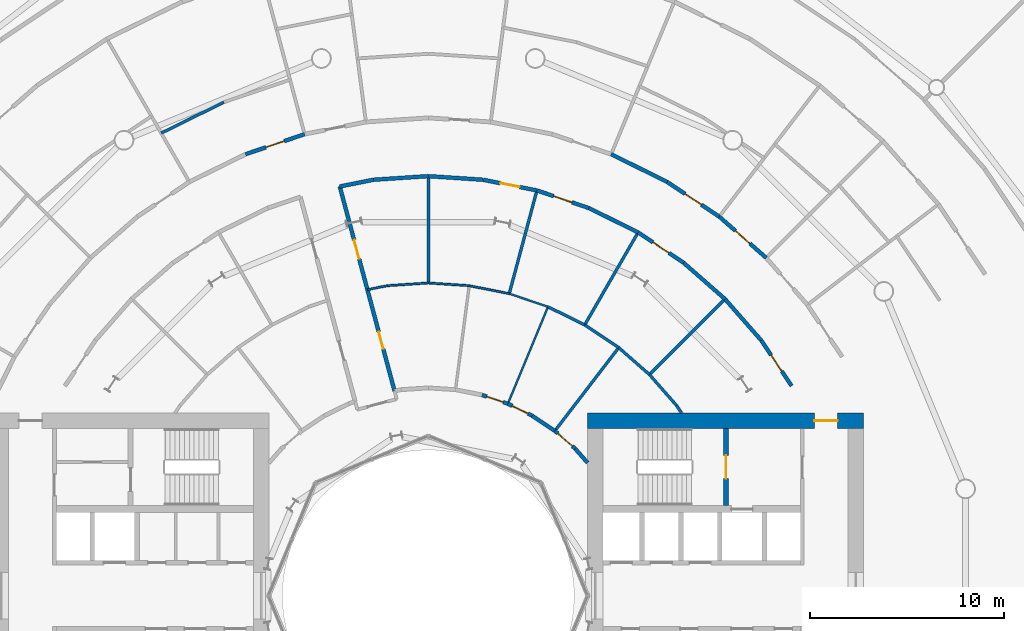
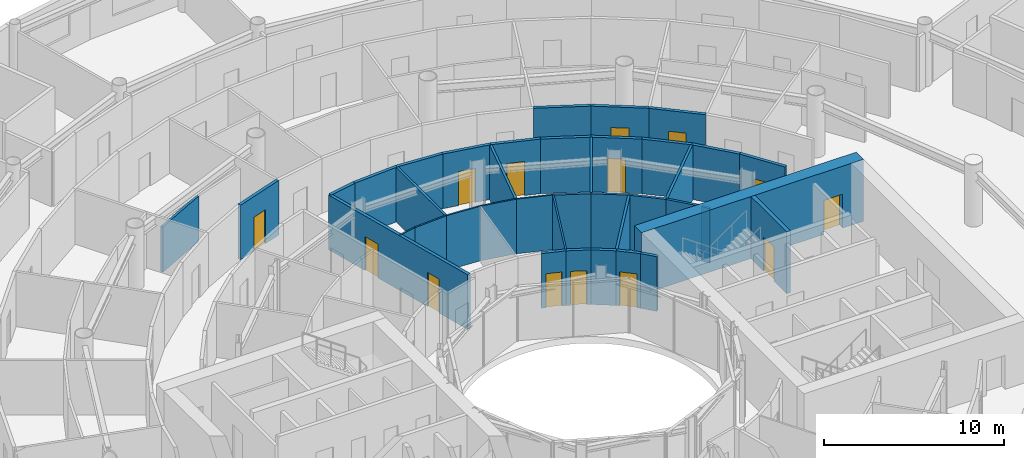
# One storey, part 21 of 29: 39 walls, 14 doors, 14 openings.
"""IFC4 building model written with IfcOpenShell, lengths in metres."""

from ifc_helpers import new_model, si_unit, direction, frame, frame_2d, origin, place, context, subcontext, project, spatial, rectangle, extrude, material, layer, layer_set, type_object, element, fill, save


model = new_model("IFC4")

# Units and contexts
model_context = context("Model", 3, precision=1e-05, world=origin(), true_north=direction((0.0, 1.0)))
body_context = subcontext(model_context, "Body", "Model", "MODEL_VIEW")
ifc_project = project(units=[si_unit("LENGTHUNIT", "METRE"), si_unit("AREAUNIT", "SQUARE_METRE"), si_unit("VOLUMEUNIT", "CUBIC_METRE"), si_unit("PLANEANGLEUNIT", "RADIAN"), si_unit("MASSUNIT", "GRAM", prefix="KILO")], contexts=[model_context])

# Site, building, storey
site_placement = place(None, origin())
site = spatial("IfcSite", under=ifc_project, at=site_placement, CompositionType="ELEMENT")
building_placement = place(site_placement, origin())
building = spatial("IfcBuilding", under=site, at=building_placement, Name="Maasbend Ring Residences", CompositionType="ELEMENT")
storey_placement = place(building_placement, frame((0.0, 0.0, 5.39990234375)))
storey = spatial("IfcBuildingStorey", under=building, at=storey_placement, Name="L01", CompositionType="ELEMENT", Elevation=5.39990234375)

# Wall, opening, door
ifc_material_1 = material(Name="Concrete C70/85", Category="concrete")
ifc_layer_1 = layer(ifc_material_1, 0.25)
ifc_layer_set_1 = layer_set([ifc_layer_1], Name="Concrete C70/85")
wall_type_1 = type_object("IfcWallType", Name="CORE WALL 250 C70/85", PredefinedType="SHEAR", material=ifc_layer_set_1)
wall_1_placement = place(storey_placement, frame((15.324951171875, 4.64990234375, 0.0), z_axis=(0.0, 0.0, 1.0), x_axis=(0.0, 1.0, 0.0)))
wall_1 = element("IfcWall", 1, at=wall_1_placement, inside=storey, type_object=wall_type_1, Name="L01 core E wall STEN", PredefinedType="SHEAR", context=body_context, shape_type="SweptSolid", body=[
    extrude(rectangle(XDim=3.9501953125, YDim=0.25, at=frame_2d((1.97509765625, 0.0))), origin(), (0.0, 0.0, 1.0), 4.2001953125),
])
opening_1_placement = place(wall_1_placement, frame((1.375, 0.0, 0.0)))
opening_1 = element("IfcOpeningElement", 2, at=opening_1_placement, cuts=wall_1, Name="Opening D-E0110", PredefinedType="OPENING", context=body_context, shape_type="SweptSolid", body=[
    extrude(rectangle(XDim=1.199951171875, YDim=2.300048828125, at=frame_2d((0.60009765625, 1.14990234375))), frame((0.0, 0.135009765625, 0.0), z_axis=(0.0, -1.0, 0.0), x_axis=(1.0, 0.0, 0.0)), (0.0, 0.0, 1.0), 0.27001953125),
])
ifc_material_2 = material(Name="Steel, powder coated", Category="steel")
door_type_1 = type_object("IfcDoorType", Name="STAIR DOOR 1200 X 2300 FD60", OperationType="NOTDEFINED", PredefinedType="DOOR", material=ifc_material_2)
door_1_placement = place(opening_1_placement, origin())
door_1 = element("IfcDoor", 3, at=door_1_placement, inside=storey, type_object=door_type_1, Name="Stair door ST-E L01", OperationType="SINGLE_SWING_LEFT", OverallHeight=2.300048828125, OverallWidth=1.199951171875, PredefinedType="DOOR", context=body_context, shape_type="SweptSolid", body=[
    extrude(rectangle(XDim=1.199951171875, YDim=2.300048828125, at=frame_2d((0.60009765625, 1.14990234375))), frame((0.0, 0.02490234375, 0.0), z_axis=(0.0, -1.0, 0.0), x_axis=(1.0, 0.0, 0.0)), (0.0, 0.0, 1.0), 0.050048828125),
])
fill(opening_1, door_1)

ifc_material_3 = material(Name="Concrete C70/85", Category="concrete")
ifc_layer_2 = layer(ifc_material_3, 0.800048828125)
ifc_layer_set_2 = layer_set([ifc_layer_2], Name="Concrete C70/85")
wall_type_2 = type_object("IfcWallType", Name="CORE WALL 800 C70/85", PredefinedType="SHEAR", material=ifc_layer_set_2)
wall_2_placement = place(storey_placement, frame((22.39990234375, 9.0, 0.0), z_axis=(0.0, 0.0, 1.0), x_axis=(-1.0, 0.0, 0.0)))
wall_2 = element("IfcWall", 4, at=wall_2_placement, inside=storey, type_object=wall_type_2, Name="L01 core E wall PN", PredefinedType="SHEAR", context=body_context, shape_type="SweptSolid", body=[
    extrude(rectangle(XDim=14.199951171875, YDim=0.800048828125, at=frame_2d((7.10009765625, 0.0))), origin(), (0.0, 0.0, 1.0), 4.2001953125),
])
opening_2_placement = place(wall_2_placement, frame((1.324951171875, 0.0, 0.0)))
opening_2 = element("IfcOpeningElement", 5, at=opening_2_placement, cuts=wall_2, Name="Opening D-E0114", PredefinedType="OPENING", context=body_context, shape_type="SweptSolid", body=[
    extrude(rectangle(XDim=1.199951171875, YDim=2.300048828125, at=frame_2d((0.60009765625, 1.14990234375))), frame((0.0, 0.41015625, 0.0), z_axis=(0.0, -1.0, 0.0), x_axis=(1.0, 0.0, 0.0)), (0.0, 0.0, 1.0), 0.820068359375),
])
ifc_material_4 = material(Name="Steel, powder coated", Category="steel")
door_type_2 = type_object("IfcDoorType", Name="CORRIDOR DOOR 1200 X 2300 FD30S", OperationType="NOTDEFINED", PredefinedType="DOOR", material=ifc_material_4)
door_2_placement = place(opening_2_placement, origin())
door_2 = element("IfcDoor", 6, at=door_2_placement, inside=storey, type_object=door_type_2, Name="Corridor door L01", OperationType="SINGLE_SWING_RIGHT", OverallHeight=2.300048828125, OverallWidth=1.199951171875, PredefinedType="DOOR", context=body_context, shape_type="SweptSolid", body=[
    extrude(rectangle(XDim=1.199951171875, YDim=2.300048828125, at=frame_2d((0.60009765625, 1.14990234375))), frame((0.0, 0.02490234375, 0.0), z_axis=(0.0, -1.0, 0.0), x_axis=(1.0, 0.0, 0.0)), (0.0, 0.0, 1.0), 0.050048828125),
])
fill(opening_2, door_2)

# Wall, openings, doors
ifc_material_5 = material(Name="Concrete C30/37", Category="concrete")
ifc_layer_3 = layer(ifc_material_5, 0.199951171875)
ifc_layer_set_3 = layer_set([ifc_layer_3], Name="Concrete C30/37")
wall_type_3 = type_object("IfcWallType", Name="CORRIDOR WALL 200 CONCRETE", PredefinedType="PARTITIONING", material=ifc_layer_set_3)
wall_3_placement = place(storey_placement, frame((-4.55810546875, 21.069091796875, 0.0), z_axis=(0.0, 0.0, 1.0), x_axis=(0.258717799026, -0.965952949407, 0.0)))
wall_3 = element("IfcWall", 7, at=wall_3_placement, inside=storey, type_object=wall_type_3, Name="U-L01-w185", PredefinedType="PARTITIONING", context=body_context, shape_type="SweptSolid", body=[
    extrude(rectangle(XDim=10.900146484375, YDim=0.199951171875, at=frame_2d((5.4501953125, 0.0))), origin(), (0.0, 0.0, 1.0), 3.7001953125),
])
opening_3_placement = place(wall_3_placement, frame((7.75, 0.0, 0.0)))
opening_3 = element("IfcOpeningElement", 8, at=opening_3_placement, cuts=wall_3, Name="Opening D-0106", PredefinedType="OPENING", context=body_context, shape_type="SweptSolid", body=[
    extrude(rectangle(XDim=0.89990234375, YDim=2.300048828125, at=frame_2d((0.449951171875, 1.14990234375))), frame((0.0, 0.10986328125, 0.0), z_axis=(0.0, -1.0, 0.0), x_axis=(1.0, 0.0, 0.0)), (0.0, 0.0, 1.0), 0.219970703125),
])
opening_4_placement = place(wall_3_placement, frame((2.85009765625, 0.0, 0.0)))
opening_4 = element("IfcOpeningElement", 9, at=opening_4_placement, cuts=wall_3, Name="Opening D-0118", PredefinedType="OPENING", context=body_context, shape_type="SweptSolid", body=[
    extrude(rectangle(XDim=1.0, YDim=2.300048828125, at=frame_2d((0.5, 1.14990234375))), frame((0.0, 0.10986328125, 0.0), z_axis=(0.0, -1.0, 0.0), x_axis=(1.0, 0.0, 0.0)), (0.0, 0.0, 1.0), 0.219970703125),
])
ifc_material_6 = material(Name="Timber, painted", Category="wood")
door_type_3 = type_object("IfcDoorType", Name="INTERNAL DOOR 900 X 2300", OperationType="NOTDEFINED", PredefinedType="DOOR", material=ifc_material_6)
door_3_placement = place(opening_3_placement, origin())
door_3 = element("IfcDoor", 10, at=door_3_placement, inside=storey, type_object=door_type_3, Name="D-0106", OperationType="SINGLE_SWING_RIGHT", OverallHeight=2.300048828125, OverallWidth=0.89990234375, PredefinedType="DOOR", context=body_context, shape_type="SweptSolid", body=[
    extrude(rectangle(XDim=0.89990234375, YDim=2.300048828125, at=frame_2d((0.449951171875, 1.14990234375))), frame((0.0, 0.02490234375, 0.0), z_axis=(0.0, -1.0, 0.0), x_axis=(1.0, 0.0, 0.0)), (0.0, 0.0, 1.0), 0.050048828125),
])
fill(opening_3, door_3)
ifc_material_7 = material(Name="Timber, painted", Category="wood")
door_type_4 = type_object("IfcDoorType", Name="ROOM DOOR 1000 X 2300", OperationType="NOTDEFINED", PredefinedType="DOOR", material=ifc_material_7)
door_4_placement = place(opening_4_placement, origin())
door_4 = element("IfcDoor", 11, at=door_4_placement, inside=storey, type_object=door_type_4, Name="D-0118", OperationType="SINGLE_SWING_LEFT", OverallHeight=2.300048828125, OverallWidth=1.0, PredefinedType="DOOR", context=body_context, shape_type="SweptSolid", body=[
    extrude(rectangle(XDim=1.0, YDim=2.300048828125, at=frame_2d((0.5, 1.14990234375))), frame((0.0, 0.02490234375, 0.0), z_axis=(0.0, -1.0, 0.0), x_axis=(1.0, 0.0, 0.0)), (0.0, 0.0, 1.0), 0.050048828125),
])
fill(opening_4, door_4)

# Wall, opening, door
wall_4_placement = place(storey_placement, frame((2.76904296875, 10.3349609375, 0.0), z_axis=(0.0, 0.0, 1.0), x_axis=(0.947172777338, -0.320723759441, 0.0)))
wall_4 = element("IfcWall", 12, at=wall_4_placement, inside=storey, type_object=wall_type_3, Name="U-L01-w203", PredefinedType="PARTITIONING", context=body_context, shape_type="SweptSolid", body=[
    extrude(rectangle(XDim=1.39990234375, YDim=0.199951171875, at=frame_2d((0.699951171875, 0.0))), origin(), (0.0, 0.0, 1.0), 3.7001953125),
])
opening_5_placement = place(wall_4_placement, frame((0.25, 0.0, 0.0)))
opening_5 = element("IfcOpeningElement", 13, at=opening_5_placement, cuts=wall_4, Name="Opening D-0105", PredefinedType="OPENING", context=body_context, shape_type="SweptSolid", body=[
    extrude(rectangle(XDim=0.89990234375, YDim=2.300048828125, at=frame_2d((0.449951171875, 1.14990234375))), frame((0.0, 0.10986328125, 0.0), z_axis=(0.0, -1.0, 0.0), x_axis=(1.0, 0.0, 0.0)), (0.0, 0.0, 1.0), 0.219970703125),
])
door_5_placement = place(opening_5_placement, origin())
door_5 = element("IfcDoor", 14, at=door_5_placement, inside=storey, type_object=door_type_3, Name="D-0105", OperationType="SINGLE_SWING_RIGHT", OverallHeight=2.300048828125, OverallWidth=0.89990234375, PredefinedType="DOOR", context=body_context, shape_type="SweptSolid", body=[
    extrude(rectangle(XDim=0.89990234375, YDim=2.300048828125, at=frame_2d((0.449951171875, 1.14990234375))), frame((0.0, 0.02490234375, 0.0), z_axis=(0.0, -1.0, 0.0), x_axis=(1.0, 0.0, 0.0)), (0.0, 0.0, 1.0), 0.050048828125),
])
fill(opening_5, door_5)

wall_5_placement = place(storey_placement, frame((4.094970703125, 9.885986328125, 0.0), z_axis=(0.0, 0.0, 1.0), x_axis=(0.896613890545, -0.442813201341, 0.0)))
wall_5 = element("IfcWall", 15, at=wall_5_placement, inside=storey, type_object=wall_type_3, Name="U-L01-w204", PredefinedType="PARTITIONING", context=body_context, shape_type="SweptSolid", body=[
    extrude(rectangle(XDim=1.39990234375, YDim=0.199951171875, at=frame_2d((0.699951171875, 0.0))), origin(), (0.0, 0.0, 1.0), 3.7001953125),
])
opening_6_placement = place(wall_5_placement, frame((0.25, 0.0, 0.0)))
opening_6 = element("IfcOpeningElement", 16, at=opening_6_placement, cuts=wall_5, Name="Opening D-0104", PredefinedType="OPENING", context=body_context, shape_type="SweptSolid", body=[
    extrude(rectangle(XDim=0.89990234375, YDim=2.300048828125, at=frame_2d((0.449951171875, 1.14990234375))), frame((0.0, 0.10986328125, 0.0), z_axis=(0.0, -1.0, 0.0), x_axis=(1.0, 0.0, 0.0)), (0.0, 0.0, 1.0), 0.219970703125),
])
ifc_material_8 = material(Name="Steel, fire-rated, painted", Category="steel")
door_type_5 = type_object("IfcDoorType", Name="SERVICE DOOR 900 X 2300 FIRE-RATED", OperationType="NOTDEFINED", PredefinedType="DOOR", material=ifc_material_8)
door_6_placement = place(opening_6_placement, origin())
door_6 = element("IfcDoor", 17, at=door_6_placement, inside=storey, type_object=door_type_5, Name="D-0104", OperationType="SINGLE_SWING_LEFT", OverallHeight=2.300048828125, OverallWidth=0.89990234375, PredefinedType="DOOR", context=body_context, shape_type="SweptSolid", body=[
    extrude(rectangle(XDim=0.89990234375, YDim=2.300048828125, at=frame_2d((0.449951171875, 1.14990234375))), frame((0.0, 0.02490234375, 0.0), z_axis=(0.0, -1.0, 0.0), x_axis=(1.0, 0.0, 0.0)), (0.0, 0.0, 1.0), 0.050048828125),
])
fill(opening_6, door_6)

# Wall
wall_6_placement = place(storey_placement, frame((5.35009765625, 9.26611328125, 0.0), z_axis=(0.0, 0.0, 1.0), x_axis=(0.831647476803, -0.555303947696, 0.0)))
element("IfcWall", 18, at=wall_6_placement, inside=storey, type_object=wall_type_3, Name="U-L01-w205", PredefinedType="PARTITIONING", context=body_context, shape_type="SweptSolid", body=[
    extrude(rectangle(XDim=1.3994140625, YDim=0.199951171875, at=frame_2d((0.69970703125, 0.0))), origin(), (0.0, 0.0, 1.0), 3.7001953125),
])

# Wall, opening, door
wall_7_placement = place(storey_placement, frame((6.513916015625, 8.489013671875, 0.0), z_axis=(0.0, 0.0, 1.0), x_axis=(0.751657456611, -0.65955368843, 0.0)))
wall_7 = element("IfcWall", 19, at=wall_7_placement, inside=storey, type_object=wall_type_3, Name="U-L01-w206", PredefinedType="PARTITIONING", context=body_context, shape_type="SweptSolid", body=[
    extrude(rectangle(XDim=1.399658203125, YDim=0.199951171875, at=frame_2d((0.69970703125, 0.0))), origin(), (0.0, 0.0, 1.0), 3.7001953125),
])
opening_7_placement = place(wall_7_placement, frame((0.199951171875, 0.0, 0.0)))
opening_7 = element("IfcOpeningElement", 20, at=opening_7_placement, cuts=wall_7, Name="Opening D-0103", PredefinedType="OPENING", context=body_context, shape_type="SweptSolid", body=[
    extrude(rectangle(XDim=1.0, YDim=2.300048828125, at=frame_2d((0.5, 1.14990234375))), frame((0.0, 0.10986328125, 0.0), z_axis=(0.0, -1.0, 0.0), x_axis=(1.0, 0.0, 0.0)), (0.0, 0.0, 1.0), 0.219970703125),
])
door_7_placement = place(opening_7_placement, origin())
door_7 = element("IfcDoor", 21, at=door_7_placement, inside=storey, type_object=door_type_4, Name="D-0103", OperationType="SINGLE_SWING_LEFT", OverallHeight=2.300048828125, OverallWidth=1.0, PredefinedType="DOOR", context=body_context, shape_type="SweptSolid", body=[
    extrude(rectangle(XDim=1.0, YDim=2.300048828125, at=frame_2d((0.5, 1.14990234375))), frame((0.0, 0.02490234375, 0.0), z_axis=(0.0, -1.0, 0.0), x_axis=(1.0, 0.0, 0.0)), (0.0, 0.0, 1.0), 0.050048828125),
])
fill(opening_7, door_7)

# Walls
wall_8_placement = place(storey_placement, frame((7.56591796875, 7.56591796875, 0.0), z_axis=(0.0, 0.0, 1.0), x_axis=(0.659384951594, -0.751805483893, 0.0)))
element("IfcWall", 22, at=wall_8_placement, inside=storey, type_object=wall_type_3, Name="U-L01-w207", PredefinedType="PARTITIONING", context=body_context, shape_type="SweptSolid", body=[
    extrude(rectangle(XDim=0.961669921875, YDim=0.199951171875, at=frame_2d((0.48095703125, 0.0))), origin(), (0.0, 0.0, 1.0), 3.7001953125),
])
wall_9_placement = place(storey_placement, frame((-4.55810546875, 21.069091796875, 0.0), z_axis=(0.0, 0.0, 1.0), x_axis=(0.980781401852, 0.195109819798, 0.0)))
element("IfcWall", 23, at=wall_9_placement, inside=storey, type_object=wall_type_3, Name="U-L01-w230", PredefinedType="PARTITIONING", context=body_context, shape_type="SweptSolid", body=[
    extrude(rectangle(XDim=1.773193359375, YDim=0.199951171875, at=frame_2d((0.88671875, 0.0))), origin(), (0.0, 0.0, 1.0), 3.7001953125),
])
for number, where, z_axis, x_axis, name in (
    (24, (-2.819091796875, 21.4150390625, 0.0), (0.0, 0.0, 1.0), (0.99785232164, 0.065503772391, 0.0), "U-L01-w231"),
    (25, (0.0, 21.60009765625, 0.0), (0.0, 0.0, 1.0), (0.99785232164, -0.065503772391, 0.0), "U-L01-w232"),
):
    element("IfcWall", number, at=place(storey_placement, frame(where, z_axis=z_axis, x_axis=x_axis)), inside=storey, type_object=wall_type_3, Name=name, PredefinedType="PARTITIONING", context=body_context, shape_type="SweptSolid", body=[
        extrude(rectangle(XDim=2.8251953125, YDim=0.199951171875, at=frame_2d((1.41259765625, 0.0))), origin(), (0.0, 0.0, 1.0), 3.7001953125),
    ])

# Wall, opening, door
wall_10_placement = place(storey_placement, frame((2.819091796875, 21.4150390625, 0.0), z_axis=(0.0, 0.0, 1.0), x_axis=(0.980796115138, -0.195035844217, 0.0)))
wall_10 = element("IfcWall", 26, at=wall_10_placement, inside=storey, type_object=wall_type_3, Name="U-L01-w233", PredefinedType="PARTITIONING", context=body_context, shape_type="SweptSolid", body=[
    extrude(rectangle(XDim=2.8251953125, YDim=0.199951171875, at=frame_2d((1.41259765625, 0.0))), origin(), (0.0, 0.0, 1.0), 3.7001953125),
])
opening_8_placement = place(wall_10_placement, frame((0.9130859375, 0.0, 0.0)))
opening_8 = element("IfcOpeningElement", 27, at=opening_8_placement, cuts=wall_10, Name="Opening D-0117", PredefinedType="OPENING", context=body_context, shape_type="SweptSolid", body=[
    extrude(rectangle(XDim=1.0, YDim=2.300048828125, at=frame_2d((0.5, 1.14990234375))), frame((0.0, 0.10986328125, 0.0), z_axis=(0.0, -1.0, 0.0), x_axis=(1.0, 0.0, 0.0)), (0.0, 0.0, 1.0), 0.219970703125),
])
door_8_placement = place(opening_8_placement, origin())
door_8 = element("IfcDoor", 28, at=door_8_placement, inside=storey, type_object=door_type_4, Name="D-0117", OperationType="SINGLE_SWING_LEFT", OverallHeight=2.300048828125, OverallWidth=1.0, PredefinedType="DOOR", context=body_context, shape_type="SweptSolid", body=[
    extrude(rectangle(XDim=1.0, YDim=2.300048828125, at=frame_2d((0.5, 1.14990234375))), frame((0.0, 0.02490234375, 0.0), z_axis=(0.0, -1.0, 0.0), x_axis=(1.0, 0.0, 0.0)), (0.0, 0.0, 1.0), 0.050048828125),
])
fill(opening_8, door_8)

wall_11_placement = place(storey_placement, frame((5.590087890625, 20.864013671875, 0.0), z_axis=(0.0, 0.0, 1.0), x_axis=(0.946976353269, -0.321303262276, 0.0)))
wall_11 = element("IfcWall", 29, at=wall_11_placement, inside=storey, type_object=wall_type_3, Name="U-L01-w234", PredefinedType="PARTITIONING", context=body_context, shape_type="SweptSolid", body=[
    extrude(rectangle(XDim=2.825927734375, YDim=0.199951171875, at=frame_2d((1.4130859375, 0.0))), origin(), (0.0, 0.0, 1.0), 3.7001953125),
])
opening_9_placement = place(wall_11_placement, frame((0.9130859375, 0.0, 0.0)))
opening_9 = element("IfcOpeningElement", 30, at=opening_9_placement, cuts=wall_11, Name="Opening D-0116", PredefinedType="OPENING", context=body_context, shape_type="SweptSolid", body=[
    extrude(rectangle(XDim=1.0, YDim=2.300048828125, at=frame_2d((0.5, 1.14990234375))), frame((0.0, 0.10986328125, 0.0), z_axis=(0.0, -1.0, 0.0), x_axis=(1.0, 0.0, 0.0)), (0.0, 0.0, 1.0), 0.219970703125),
])
door_9_placement = place(opening_9_placement, origin())
door_9 = element("IfcDoor", 31, at=door_9_placement, inside=storey, type_object=door_type_4, Name="D-0116", OperationType="SINGLE_SWING_LEFT", OverallHeight=2.300048828125, OverallWidth=1.0, PredefinedType="DOOR", context=body_context, shape_type="SweptSolid", body=[
    extrude(rectangle(XDim=1.0, YDim=2.300048828125, at=frame_2d((0.5, 1.14990234375))), frame((0.0, 0.02490234375, 0.0), z_axis=(0.0, -1.0, 0.0), x_axis=(1.0, 0.0, 0.0)), (0.0, 0.0, 1.0), 0.050048828125),
])
fill(opening_9, door_9)

# Wall
wall_12_placement = place(storey_placement, frame((8.26611328125, 19.9560546875, 0.0), z_axis=(0.0, 0.0, 1.0), x_axis=(0.896816398134, -0.442402924988, 0.0)))
element("IfcWall", 32, at=wall_12_placement, inside=storey, type_object=wall_type_3, Name="U-L01-w235", PredefinedType="PARTITIONING", context=body_context, shape_type="SweptSolid", body=[
    extrude(rectangle(XDim=2.825439453125, YDim=0.199951171875, at=frame_2d((1.41259765625, 0.0))), origin(), (0.0, 0.0, 1.0), 3.7001953125),
])

# Wall, opening, door
wall_13_placement = place(storey_placement, frame((10.800048828125, 18.7060546875, 0.0), z_axis=(0.0, 0.0, 1.0), x_axis=(0.831371669473, -0.55571678686, 0.0)))
wall_13 = element("IfcWall", 33, at=wall_13_placement, inside=storey, type_object=wall_type_3, Name="U-L01-w236", PredefinedType="PARTITIONING", context=body_context, shape_type="SweptSolid", body=[
    extrude(rectangle(XDim=2.8251953125, YDim=0.199951171875, at=frame_2d((1.41259765625, 0.0))), origin(), (0.0, 0.0, 1.0), 3.7001953125),
])
opening_10_placement = place(wall_13_placement, frame((0.9130859375, 0.0, 0.0)))
opening_10 = element("IfcOpeningElement", 34, at=opening_10_placement, cuts=wall_13, Name="Opening D-0115", PredefinedType="OPENING", context=body_context, shape_type="SweptSolid", body=[
    extrude(rectangle(XDim=1.0, YDim=2.300048828125, at=frame_2d((0.5, 1.14990234375))), frame((0.0, 0.10986328125, 0.0), z_axis=(0.0, -1.0, 0.0), x_axis=(1.0, 0.0, 0.0)), (0.0, 0.0, 1.0), 0.219970703125),
])
door_10_placement = place(opening_10_placement, origin())
door_10 = element("IfcDoor", 35, at=door_10_placement, inside=storey, type_object=door_type_4, Name="D-0115", OperationType="SINGLE_SWING_LEFT", OverallHeight=2.300048828125, OverallWidth=1.0, PredefinedType="DOOR", context=body_context, shape_type="SweptSolid", body=[
    extrude(rectangle(XDim=1.0, YDim=2.300048828125, at=frame_2d((0.5, 1.14990234375))), frame((0.0, 0.02490234375, 0.0), z_axis=(0.0, -1.0, 0.0), x_axis=(1.0, 0.0, 0.0)), (0.0, 0.0, 1.0), 0.050048828125),
])
fill(opening_10, door_10)

# Walls
for number, where, z_axis, x_axis, name in (
    (36, (13.14892578125, 17.135986328125, 0.0), (0.0, 0.0, 1.0), (0.752105457459, -0.659042776199, 0.0), "U-L01-w237"),
    (37, (15.27392578125, 15.27392578125, 0.0), (0.0, 0.0, 1.0), (0.659042776199, -0.752105457459, 0.0), "U-L01-w238"),
):
    element("IfcWall", number, at=place(storey_placement, frame(where, z_axis=z_axis, x_axis=x_axis)), inside=storey, type_object=wall_type_3, Name=name, PredefinedType="PARTITIONING", context=body_context, shape_type="SweptSolid", body=[
        extrude(rectangle(XDim=2.825439453125, YDim=0.199951171875, at=frame_2d((1.41259765625, 0.0))), origin(), (0.0, 0.0, 1.0), 3.7001953125),
    ])

# Wall, opening, door
wall_14_placement = place(storey_placement, frame((17.135986328125, 13.14892578125, 0.0), z_axis=(0.0, 0.0, 1.0), x_axis=(0.55571678686, -0.831371669473, 0.0)))
wall_14 = element("IfcWall", 38, at=wall_14_placement, inside=storey, type_object=wall_type_3, Name="U-L01-w239", PredefinedType="PARTITIONING", context=body_context, shape_type="SweptSolid", body=[
    extrude(rectangle(XDim=2.8251953125, YDim=0.199951171875, at=frame_2d((1.41259765625, 0.0))), origin(), (0.0, 0.0, 1.0), 3.7001953125),
])
opening_11_placement = place(wall_14_placement, frame((0.9130859375, 0.0, 0.0)))
opening_11 = element("IfcOpeningElement", 39, at=opening_11_placement, cuts=wall_14, Name="Opening D-0114", PredefinedType="OPENING", context=body_context, shape_type="SweptSolid", body=[
    extrude(rectangle(XDim=1.0, YDim=2.300048828125, at=frame_2d((0.5, 1.14990234375))), frame((0.0, 0.10986328125, 0.0), z_axis=(0.0, -1.0, 0.0), x_axis=(1.0, 0.0, 0.0)), (0.0, 0.0, 1.0), 0.219970703125),
])
door_11_placement = place(opening_11_placement, origin())
door_11 = element("IfcDoor", 40, at=door_11_placement, inside=storey, type_object=door_type_4, Name="D-0114", OperationType="SINGLE_SWING_LEFT", OverallHeight=2.300048828125, OverallWidth=1.0, PredefinedType="DOOR", context=body_context, shape_type="SweptSolid", body=[
    extrude(rectangle(XDim=1.0, YDim=2.300048828125, at=frame_2d((0.5, 1.14990234375))), frame((0.0, 0.02490234375, 0.0), z_axis=(0.0, -1.0, 0.0), x_axis=(1.0, 0.0, 0.0)), (0.0, 0.0, 1.0), 0.050048828125),
])
fill(opening_11, door_11)

wall_15_placement = place(storey_placement, frame((-9.4140625, 22.72705078125, 0.0), z_axis=(0.0, 0.0, 1.0), x_axis=(0.946877665823, 0.321593976879, 0.0)))
wall_15 = element("IfcWall", 41, at=wall_15_placement, inside=storey, type_object=wall_type_3, Name="U-L01-w249", PredefinedType="PARTITIONING", context=body_context, shape_type="SweptSolid", body=[
    extrude(rectangle(XDim=3.218017578125, YDim=0.199951171875, at=frame_2d((1.60888671875, 0.0))), origin(), (0.0, 0.0, 1.0), 3.7001953125),
])
opening_12_placement = place(wall_15_placement, frame((1.10888671875, 0.0, 0.0)))
opening_12 = element("IfcOpeningElement", 42, at=opening_12_placement, cuts=wall_15, Name="Opening D-0144", PredefinedType="OPENING", context=body_context, shape_type="SweptSolid", body=[
    extrude(rectangle(XDim=1.0, YDim=2.300048828125, at=frame_2d((0.5, 1.14990234375))), frame((0.0, 0.10986328125, 0.0), z_axis=(0.0, -1.0, 0.0), x_axis=(1.0, 0.0, 0.0)), (0.0, 0.0, 1.0), 0.219970703125),
])
door_12_placement = place(opening_12_placement, origin())
door_12 = element("IfcDoor", 43, at=door_12_placement, inside=storey, type_object=door_type_4, Name="D-0144", OperationType="SINGLE_SWING_LEFT", OverallHeight=2.300048828125, OverallWidth=1.0, PredefinedType="DOOR", context=body_context, shape_type="SweptSolid", body=[
    extrude(rectangle(XDim=1.0, YDim=2.300048828125, at=frame_2d((0.5, 1.14990234375))), frame((0.0, 0.02490234375, 0.0), z_axis=(0.0, -1.0, 0.0), x_axis=(1.0, 0.0, 0.0)), (0.0, 0.0, 1.0), 0.050048828125),
])
fill(opening_12, door_12)

# Wall
wall_16_placement = place(storey_placement, frame((9.4140625, 22.72705078125, 0.0), z_axis=(0.0, 0.0, 1.0), x_axis=(0.896886949195, -0.442259878763, 0.0)))
element("IfcWall", 44, at=wall_16_placement, inside=storey, type_object=wall_type_3, Name="U-L01-w255", PredefinedType="PARTITIONING", context=body_context, shape_type="SweptSolid", body=[
    extrude(rectangle(XDim=3.2177734375, YDim=0.199951171875, at=frame_2d((1.60888671875, 0.0))), origin(), (0.0, 0.0, 1.0), 3.7001953125),
])

# Wall, opening, door
wall_17_placement = place(storey_placement, frame((12.300048828125, 21.303955078125, 0.0), z_axis=(0.0, 0.0, 1.0), x_axis=(0.831501361433, -0.555522714148, 0.0)))
wall_17 = element("IfcWall", 45, at=wall_17_placement, inside=storey, type_object=wall_type_3, Name="U-L01-w256", PredefinedType="PARTITIONING", context=body_context, shape_type="SweptSolid", body=[
    extrude(rectangle(XDim=3.21826171875, YDim=0.199951171875, at=frame_2d((1.609130859375, 0.0))), origin(), (0.0, 0.0, 1.0), 3.7001953125),
])
opening_13_placement = place(wall_17_placement, frame((1.10888671875, 0.0, 0.0)))
opening_13 = element("IfcOpeningElement", 46, at=opening_13_placement, cuts=wall_17, Name="Opening D-0136", PredefinedType="OPENING", context=body_context, shape_type="SweptSolid", body=[
    extrude(rectangle(XDim=1.0, YDim=2.300048828125, at=frame_2d((0.5, 1.14990234375))), frame((0.0, 0.10986328125, 0.0), z_axis=(0.0, -1.0, 0.0), x_axis=(1.0, 0.0, 0.0)), (0.0, 0.0, 1.0), 0.219970703125),
])
door_13_placement = place(opening_13_placement, origin())
door_13 = element("IfcDoor", 47, at=door_13_placement, inside=storey, type_object=door_type_4, Name="D-0136", OperationType="SINGLE_SWING_RIGHT", OverallHeight=2.300048828125, OverallWidth=1.0, PredefinedType="DOOR", context=body_context, shape_type="SweptSolid", body=[
    extrude(rectangle(XDim=1.0, YDim=2.300048828125, at=frame_2d((0.5, 1.14990234375))), frame((0.0, 0.02490234375, 0.0), z_axis=(0.0, -1.0, 0.0), x_axis=(1.0, 0.0, 0.0)), (0.0, 0.0, 1.0), 0.050048828125),
])
fill(opening_13, door_13)

wall_18_placement = place(storey_placement, frame((14.97607421875, 19.51611328125, 0.0), z_axis=(0.0, 0.0, 1.0), x_axis=(0.751880539175, -0.659299366608, 0.0)))
wall_18 = element("IfcWall", 48, at=wall_18_placement, inside=storey, type_object=wall_type_3, Name="U-L01-w257", PredefinedType="PARTITIONING", context=body_context, shape_type="SweptSolid", body=[
    extrude(rectangle(XDim=3.21728515625, YDim=0.199951171875, at=frame_2d((1.608642578125, 0.0))), origin(), (0.0, 0.0, 1.0), 3.7001953125),
])
opening_14_placement = place(wall_18_placement, frame((1.10888671875, 0.0, 0.0)))
opening_14 = element("IfcOpeningElement", 49, at=opening_14_placement, cuts=wall_18, Name="Opening D-0134", PredefinedType="OPENING", context=body_context, shape_type="SweptSolid", body=[
    extrude(rectangle(XDim=1.0, YDim=2.300048828125, at=frame_2d((0.5, 1.14990234375))), frame((0.0, 0.10986328125, 0.0), z_axis=(0.0, -1.0, 0.0), x_axis=(1.0, 0.0, 0.0)), (0.0, 0.0, 1.0), 0.219970703125),
])
door_14_placement = place(opening_14_placement, origin())
door_14 = element("IfcDoor", 50, at=door_14_placement, inside=storey, type_object=door_type_4, Name="D-0134", OperationType="SINGLE_SWING_RIGHT", OverallHeight=2.300048828125, OverallWidth=1.0, PredefinedType="DOOR", context=body_context, shape_type="SweptSolid", body=[
    extrude(rectangle(XDim=1.0, YDim=2.300048828125, at=frame_2d((0.5, 1.14990234375))), frame((0.0, 0.02490234375, 0.0), z_axis=(0.0, -1.0, 0.0), x_axis=(1.0, 0.0, 0.0)), (0.0, 0.0, 1.0), 0.050048828125),
])
fill(opening_14, door_14)

# Walls
ifc_material_9 = material(Name="Gypsum board on steel studs", Category="steel")
ifc_layer_4 = layer(ifc_material_9, 0.10009765625)
ifc_layer_set_4 = layer_set([ifc_layer_4], Name="PARTITION 100 GYPSUM")
wall_type_4 = type_object("IfcWallType", Name="PARTITION 100 GYPSUM", PredefinedType="PARTITIONING", material=ifc_layer_set_4)
wall_19_placement = place(storey_placement, frame((4.095947265625, 9.885986328125, 0.0), z_axis=(0.0, 0.0, 1.0), x_axis=(0.382691256264, 0.923876291708, 0.0)))
element("IfcWall", 51, at=wall_19_placement, inside=storey, type_object=wall_type_4, Name="U-L01-w163", PredefinedType="PARTITIONING", context=body_context, shape_type="SweptSolid", body=[
    extrude(rectangle(XDim=5.39892578125, YDim=0.10009765625, at=frame_2d((2.699462890625, 0.0))), origin(), (0.0, 0.0, 1.0), 3.7001953125),
])
wall_20_placement = place(storey_placement, frame((-3.135009765625, 15.756103515625, 0.0), z_axis=(0.0, 0.0, 1.0), x_axis=(0.980758412725, 0.195225346382, 0.0)))
element("IfcWall", 52, at=wall_20_placement, inside=storey, type_object=wall_type_4, Name="U-L01-w208", PredefinedType="PARTITIONING", context=body_context, shape_type="SweptSolid", body=[
    extrude(rectangle(XDim=1.05419921875, YDim=0.10009765625, at=frame_2d((0.527099609375, 0.0))), origin(), (0.0, 0.0, 1.0), 3.7001953125),
])
for number, where, z_axis, x_axis, name in (
    (53, (-2.10107421875, 15.9619140625, 0.0), (0.0, 0.0, 1.0), (0.997844271403, 0.065626290683, 0.0), "U-L01-w215"),
    (54, (0.0, 16.10009765625, 0.0), (0.0, 0.0, 1.0), (0.997844271403, -0.065626290683, 0.0), "U-L01-w216"),
):
    element("IfcWall", number, at=place(storey_placement, frame(where, z_axis=z_axis, x_axis=x_axis)), inside=storey, type_object=wall_type_4, Name=name, PredefinedType="PARTITIONING", context=body_context, shape_type="SweptSolid", body=[
        extrude(rectangle(XDim=2.105712890625, YDim=0.10009765625, at=frame_2d((1.052734375, 0.0))), origin(), (0.0, 0.0, 1.0), 3.7001953125),
    ])
wall_21_placement = place(storey_placement, frame((2.10107421875, 15.9619140625, 0.0), z_axis=(0.0, 0.0, 1.0), x_axis=(0.980789636989, -0.195068418702, 0.0)))
element("IfcWall", 55, at=wall_21_placement, inside=storey, type_object=wall_type_4, Name="U-L01-w217", PredefinedType="PARTITIONING", context=body_context, shape_type="SweptSolid", body=[
    extrude(rectangle(XDim=2.1064453125, YDim=0.10009765625, at=frame_2d((1.05322265625, 0.0))), origin(), (0.0, 0.0, 1.0), 3.7001953125),
])
wall_22_placement = place(storey_placement, frame((4.1669921875, 15.551025390625, 0.0), z_axis=(0.0, 0.0, 1.0), x_axis=(0.94690623261, -0.321509854662, 0.0)))
element("IfcWall", 56, at=wall_22_placement, inside=storey, type_object=wall_type_4, Name="U-L01-w218", PredefinedType="PARTITIONING", context=body_context, shape_type="SweptSolid", body=[
    extrude(rectangle(XDim=2.105712890625, YDim=0.10009765625, at=frame_2d((1.052734375, 0.0))), origin(), (0.0, 0.0, 1.0), 3.7001953125),
])
ifc_material_10 = material(Name="Gypsum board on steel studs", Category="steel")
ifc_layer_5 = layer(ifc_material_10, 0.14990234375)
ifc_layer_set_5 = layer_set([ifc_layer_5], Name="PARTITION 150 GYPSUM")
wall_type_5 = type_object("IfcWallType", Name="PARTITION 150 GYPSUM", PredefinedType="PARTITIONING", material=ifc_layer_set_5)
wall_23_placement = place(storey_placement, frame((0.0, 16.10009765625, 0.0), z_axis=(0.0, 0.0, 1.0), x_axis=(0.0, 1.0, 0.0)))
element("IfcWall", 57, at=wall_23_placement, inside=storey, type_object=wall_type_5, Name="U-L01-w160", PredefinedType="PARTITIONING", context=body_context, shape_type="SweptSolid", body=[
    extrude(rectangle(XDim=5.5, YDim=0.14990234375, at=frame_2d((2.75, 0.0))), origin(), (0.0, 0.0, 1.0), 3.7001953125),
])
wall_24_placement = place(storey_placement, frame((4.1669921875, 15.551025390625, 0.0), z_axis=(0.0, 0.0, 1.0), x_axis=(0.258731647845, 0.965949240076, 0.0)))
element("IfcWall", 58, at=wall_24_placement, inside=storey, type_object=wall_type_5, Name="U-L01-w164", PredefinedType="PARTITIONING", context=body_context, shape_type="SweptSolid", body=[
    extrude(rectangle(XDim=5.500244140625, YDim=0.14990234375, at=frame_2d((2.75, 0.0))), origin(), (0.0, 0.0, 1.0), 3.7001953125),
])
wall_25_placement = place(storey_placement, frame((6.51611328125, 8.488037109375, 0.0), z_axis=(0.0, 0.0, 1.0), x_axis=(0.608610950977, 0.793468783476, 0.0)))
element("IfcWall", 59, at=wall_25_placement, inside=storey, type_object=wall_type_5, Name="U-L01-w166", PredefinedType="PARTITIONING", context=body_context, shape_type="SweptSolid", body=[
    extrude(rectangle(XDim=5.39892578125, YDim=0.14990234375, at=frame_2d((2.699462890625, 0.0))), origin(), (0.0, 0.0, 1.0), 3.7001953125),
])
wall_26_placement = place(storey_placement, frame((8.051025390625, 13.94189453125, 0.0), z_axis=(0.0, 0.0, 1.0), x_axis=(0.499996545922, 0.866027397988, 0.0)))
element("IfcWall", 60, at=wall_26_placement, inside=storey, type_object=wall_type_5, Name="U-L01-w168", PredefinedType="PARTITIONING", context=body_context, shape_type="SweptSolid", body=[
    extrude(rectangle(XDim=5.5, YDim=0.14990234375, at=frame_2d((2.75, 0.0))), origin(), (0.0, 0.0, 1.0), 3.7001953125),
])
wall_27_placement = place(storey_placement, frame((11.384033203125, 11.384033203125, 0.0), z_axis=(0.0, 0.0, 1.0), x_axis=(0.707106781187, 0.707106781187, 0.0)))
element("IfcWall", 61, at=wall_27_placement, inside=storey, type_object=wall_type_5, Name="U-L01-w173", PredefinedType="PARTITIONING", context=body_context, shape_type="SweptSolid", body=[
    extrude(rectangle(XDim=5.501220703125, YDim=0.14990234375, at=frame_2d((2.75048828125, 0.0))), origin(), (0.0, 0.0, 1.0), 3.7001953125),
])
for number, where, z_axis, x_axis, name in (
    (62, (6.160888671875, 14.8740234375, 0.0), (0.0, 0.0, 1.0), (0.897008779175, -0.442012726156, 0.0), "U-L01-w219"),
    (63, (8.050048828125, 13.943115234375, 0.0), (0.0, 0.0, 1.0), (0.831425547365, -0.555636175198, 0.0), "U-L01-w220"),
    (64, (9.801025390625, 12.77294921875, 0.0), (0.0, 0.0, 1.0), (0.751685505492, -0.659521721275, 0.0), "U-L01-w221"),
    (65, (11.384033203125, 11.384033203125, 0.0), (0.0, 0.0, 1.0), (0.659521721275, -0.751685505492, 0.0), "U-L01-w222"),
):
    element("IfcWall", number, at=place(storey_placement, frame(where, z_axis=z_axis, x_axis=x_axis)), inside=storey, type_object=wall_type_5, Name=name, PredefinedType="PARTITIONING", context=body_context, shape_type="SweptSolid", body=[
        extrude(rectangle(XDim=2.10595703125, YDim=0.14990234375, at=frame_2d((1.052978515625, 0.0))), origin(), (0.0, 0.0, 1.0), 3.7001953125),
    ])
wall_28_placement = place(storey_placement, frame((12.77294921875, 9.801025390625, 0.0), z_axis=(0.0, 0.0, 1.0), x_axis=(0.555634077892, -0.831426948977, 0.0)))
element("IfcWall", 66, at=wall_28_placement, inside=storey, type_object=wall_type_5, Name="U-L01-w223", PredefinedType="PARTITIONING", context=body_context, shape_type="SweptSolid", body=[
    extrude(rectangle(XDim=0.482421875, YDim=0.14990234375, at=frame_2d((0.2412109375, 0.0))), origin(), (0.0, 0.0, 1.0), 3.7001953125),
])
wall_29_placement = place(storey_placement, frame((-13.75, 23.81591796875, 0.0), z_axis=(0.0, 0.0, 1.0), x_axis=(0.896857224088, 0.442320155092, 0.0)))
element("IfcWall", 67, at=wall_29_placement, inside=storey, type_object=wall_type_5, Name="U-L01-w260", PredefinedType="PARTITIONING", context=body_context, shape_type="SweptSolid", body=[
    extrude(rectangle(XDim=3.59716796875, YDim=0.14990234375, at=frame_2d((1.798583984375, 0.0))), origin(), (0.0, 0.0, 1.0), 3.080078125),
])

save(model, "model.ifc")
